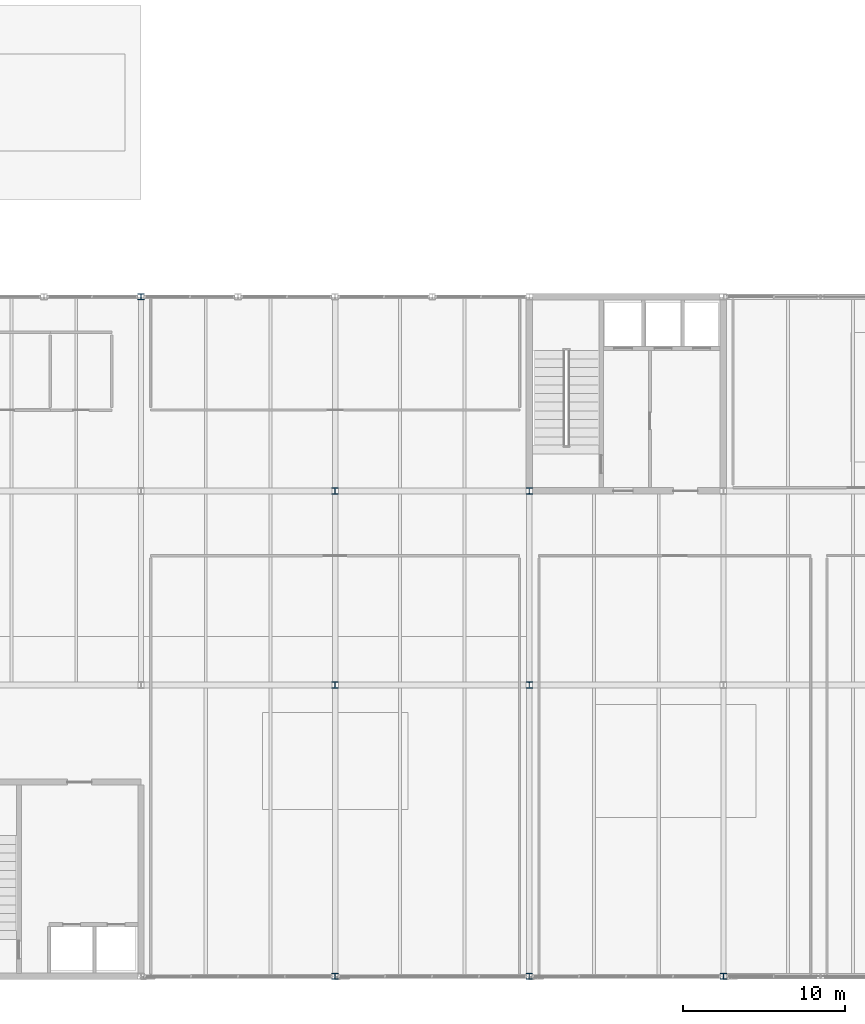
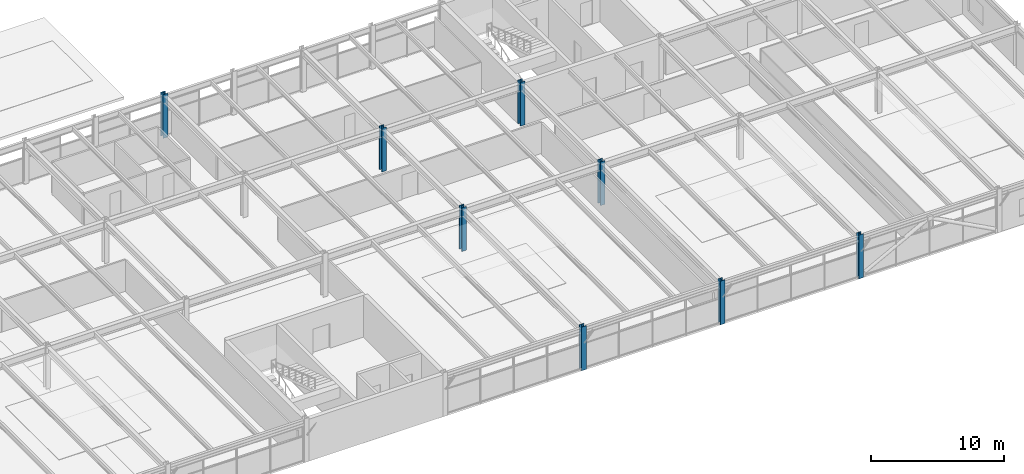
# One storey, part 4 of 49: 8 columns.
"""IFC4 building model written with IfcOpenShell, lengths in metres."""

from ifc_helpers import new_model, si_unit, direction, frame, origin, origin_2d, place, context, subcontext, project, spatial, i_section, extrude, material, material_profile, profile_set, type_object, element, save


model = new_model("IFC4")

# Units and contexts
model_context = context("Model", 3, precision=1e-05, world=origin(), true_north=direction((0.0, 1.0)))
body_context = subcontext(model_context, "Body", "Model", "MODEL_VIEW")
ifc_project = project(units=[si_unit("LENGTHUNIT", "METRE"), si_unit("AREAUNIT", "SQUARE_METRE"), si_unit("VOLUMEUNIT", "CUBIC_METRE"), si_unit("PLANEANGLEUNIT", "RADIAN"), si_unit("MASSUNIT", "GRAM", prefix="KILO")], contexts=[model_context])

# Site, building, storey
site_placement = place(None, origin())
site = spatial("IfcSite", under=ifc_project, at=site_placement, CompositionType="ELEMENT")
building_placement = place(site_placement, origin())
building = spatial("IfcBuilding", under=site, at=building_placement, Name="Girod Span Mobility Hub", CompositionType="ELEMENT")
storey_placement = place(building_placement, frame((0.0, 0.0, 37.60009765625)))
storey = spatial("IfcBuildingStorey", under=building, at=storey_placement, Name="L09", CompositionType="ELEMENT", Elevation=37.60009765625)

# Columns
ifc_material_1 = material(Name="Steel A992 Grade 50", Category="steel")
ifc_material_profile_1 = material_profile(ifc_material_1, i_section(OverallWidth=0.39404296875, OverallDepth=0.375, WebThickness=0.017333984375, FlangeThickness=0.027587890625, FilletRadius=0.01806640625, at=origin_2d()), Name="W14X145")
ifc_profile_set_1 = profile_set([ifc_material_profile_1], Name="Steel A992 Grade 50")
column_type_1 = type_object("IfcColumnType", Name="COL-STL-W14X145", PredefinedType="COLUMN", material=ifc_profile_set_1)
for number, where, z_axis, x_axis, name in (
    (1, (96.0, 27.0, 0.0), (0.0, 0.0, 1.0), (1.0, 0.0, 0.0), "Column 9C L09"),
    (2, (108.0, 27.0, 0.0), (0.0, 0.0, 1.0), (1.0, 0.0, 0.0), "Column 10C L09"),
    (3, (120.0, 27.0, 0.0), (0.0, 0.0, 1.0), (1.0, 0.0, 0.0), "Column 11C L09"),
):
    element("IfcColumn", number, at=place(storey_placement, frame(where, z_axis=z_axis, x_axis=x_axis)), inside=storey, type_object=column_type_1, Name=name, PredefinedType="COLUMN", context=body_context, shape_type="SweptSolid", body=[
        extrude(i_section(OverallWidth=0.39404296875, OverallDepth=0.375, WebThickness=0.017333984375, FlangeThickness=0.027587890625, FilletRadius=0.01806640625, at=origin_2d()), origin(), (0.0, 0.0, 1.0), 4.0),
    ])
ifc_material_2 = material(Name="Steel A992 Grade 50", Category="steel")
ifc_material_profile_2 = material_profile(ifc_material_2, i_section(OverallWidth=0.39892578125, OverallDepth=0.39306640625, WebThickness=0.022705078125, FlangeThickness=0.03662109375, FilletRadius=0.01806640625, at=origin_2d()), Name="W14X193")
ifc_profile_set_2 = profile_set([ifc_material_profile_2], Name="Steel A992 Grade 50")
column_type_2 = type_object("IfcColumnType", Name="COL-STL-W14X193", PredefinedType="COLUMN", material=ifc_profile_set_2)
for number, where, z_axis, x_axis, name in (
    (4, (84.0, 69.0, 0.0), (0.0, 0.0, 1.0), (1.0, 0.0, 0.0), "Column 8F L09"),
    (5, (96.0, 45.0, 0.0), (0.0, 0.0, 1.0), (1.0, 0.0, 0.0), "Column 9D L09"),
    (6, (96.0, 57.0, 0.0), (0.0, 0.0, 1.0), (1.0, 0.0, 0.0), "Column 9E L09"),
    (7, (108.0, 45.0, 0.0), (0.0, 0.0, 1.0), (1.0, 0.0, 0.0), "Column 10D L09"),
    (8, (108.0, 57.0, 0.0), (0.0, 0.0, 1.0), (1.0, 0.0, 0.0), "Column 10E L09"),
):
    element("IfcColumn", number, at=place(storey_placement, frame(where, z_axis=z_axis, x_axis=x_axis)), inside=storey, type_object=column_type_2, Name=name, PredefinedType="COLUMN", context=body_context, shape_type="SweptSolid", body=[
        extrude(i_section(OverallWidth=0.39892578125, OverallDepth=0.39306640625, WebThickness=0.022705078125, FlangeThickness=0.03662109375, FilletRadius=0.01806640625, at=origin_2d()), origin(), (0.0, 0.0, 1.0), 4.0),
    ])

save(model, "model.ifc")
